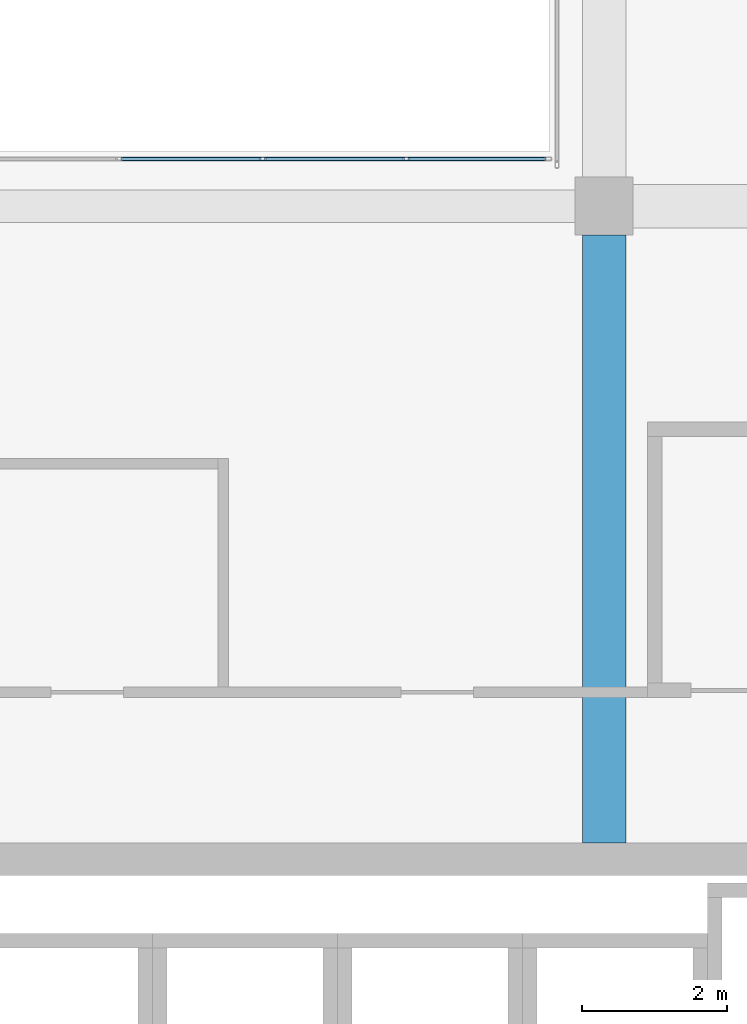
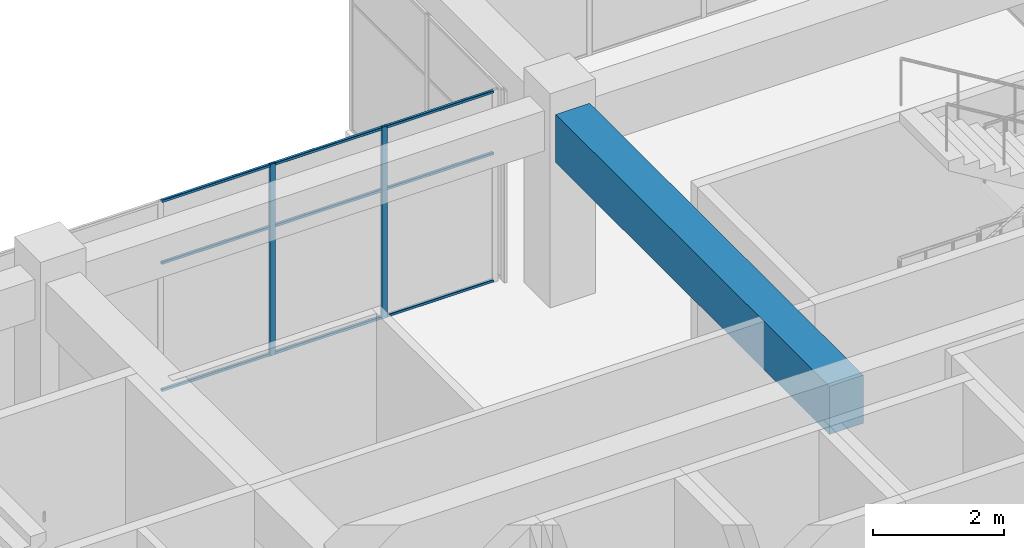
# One storey, part 34 of 52: 11 members, 1 beam, 1 element without a shape of its own.
"""IFC4 building model written with IfcOpenShell, lengths in metres."""

from ifc_helpers import new_model, si_unit, direction, frame, origin, origin_2d, place, context, subcontext, project, spatial, rectangle, hollow_rectangle, extrude, material, layer, layer_set, material_profile, profile_set, type_object, element, aggregate, save


model = new_model("IFC4")

# Units and contexts
model_context = context("Model", 3, precision=1e-05, world=origin(), true_north=direction((0.0, 1.0)))
body_context = subcontext(model_context, "Body", "Model", "MODEL_VIEW")
ifc_project = project(units=[si_unit("LENGTHUNIT", "METRE"), si_unit("AREAUNIT", "SQUARE_METRE"), si_unit("VOLUMEUNIT", "CUBIC_METRE"), si_unit("PLANEANGLEUNIT", "RADIAN"), si_unit("MASSUNIT", "GRAM", prefix="KILO")], contexts=[model_context])

# Site, building, storey
site_placement = place(None, origin())
site = spatial("IfcSite", under=ifc_project, at=site_placement, CompositionType="ELEMENT")
building_placement = place(site_placement, origin())
building = spatial("IfcBuilding", under=site, at=building_placement, Name="Tuart Plaza Theatre", CompositionType="ELEMENT")
storey_placement = place(building_placement, frame((0.0, 0.0, 25.5)))
storey = spatial("IfcBuildingStorey", under=building, at=storey_placement, Name="L06", CompositionType="ELEMENT", Elevation=25.5)

# Beam
ifc_material_1 = material(Name="Concrete N40 (40 MPa)", Category="concrete")
ifc_material_profile_1 = material_profile(ifc_material_1, rectangle(XDim=0.60009765625, YDim=0.89990234375, at=origin_2d()), Name="BEAM 600x900 Concrete N40 (40 MPa)")
ifc_profile_set_1 = profile_set([ifc_material_profile_1], Name="Concrete N40 (40 MPa)")
beam_type = type_object("IfcBeamType", Name="BEAM 600x900 Concrete N40 (40 MPa)", PredefinedType="BEAM", material=ifc_profile_set_1)
beam_placement = place(storey_placement, frame((132.0, 83.22509765625, 3.1298828125), z_axis=(0.0, 1.0, 0.0), x_axis=(-1.0, 0.0, 0.0)))
element("IfcBeam", 1, at=beam_placement, inside=storey, type_object=beam_type, Name="RB224", PredefinedType="BEAM", context=body_context, shape_type="SweptSolid", body=[
    extrude(rectangle(XDim=0.60009765625, YDim=0.89990234375, at=origin_2d()), origin(), (0.0, 0.0, 1.0), 8.375),
])

# Curtain wall, members
ifc_material_2 = material(Name="Aluminium and glass", Category="aluminium")
ifc_layer = layer(ifc_material_2, 0.10009765625)
ifc_layer_set = layer_set([ifc_layer], Name="CURTAIN WALL 2000 module")
curtain_wall_type = type_object("IfcCurtainWallType", Name="CURTAIN WALL 2000 module", PredefinedType="NOTDEFINED", material=ifc_layer_set)
curtain_wall_placement = place(storey_placement, origin())
curtain_wall = element("IfcCurtainWall", 2, at=curtain_wall_placement, inside=storey, type_object=curtain_wall_type, Name="CW84", PredefinedType="NOTDEFINED")
ifc_material_3 = material(Name="Aluminium 6063-T5", Category="aluminium")
ifc_material_profile_2 = material_profile(ifc_material_3, hollow_rectangle(XDim=0.050048828125, YDim=0.10009765625, WallThickness=0.00390625, InnerFilletRadius=0.00390625, OuterFilletRadius=0.008056640625, at=origin_2d()), Name="RHS 100x50x4")
ifc_profile_set_2 = profile_set([ifc_material_profile_2], Name="Aluminium 6063-T5")
member_type_1 = type_object("IfcMemberType", Name="MULLION RHS 100x50x4", PredefinedType="MULLION", material=ifc_profile_set_2)
member_1_placement = place(storey_placement, frame((129.272216796875, 92.64990234375, 0.0), z_axis=(0.0, 0.0, 1.0), x_axis=(0.0, -1.0, 0.0)))
member_1 = element("IfcMember", 3, at=member_1_placement, type_object=member_type_1, Name="CW84 mullion 2", PredefinedType="MULLION", context=body_context, shape_type="SweptSolid", body=[
    extrude(hollow_rectangle(XDim=0.050048828125, YDim=0.10009765625, WallThickness=0.00390625, InnerFilletRadius=0.00390625, OuterFilletRadius=0.008056640625, at=origin_2d()), origin(), (0.0, 0.0, 1.0), 3.580078125),
])
member_2_placement = place(storey_placement, frame((127.29443359375, 92.64990234375, 0.0), z_axis=(0.0, 0.0, 1.0), x_axis=(0.0, -1.0, 0.0)))
member_2 = element("IfcMember", 4, at=member_2_placement, type_object=member_type_1, Name="CW84 mullion 3", PredefinedType="MULLION", context=body_context, shape_type="SweptSolid", body=[
    extrude(hollow_rectangle(XDim=0.050048828125, YDim=0.10009765625, WallThickness=0.00390625, InnerFilletRadius=0.00390625, OuterFilletRadius=0.008056640625, at=origin_2d()), origin(), (0.0, 0.0, 1.0), 3.580078125),
])
ifc_material_4 = material(Name="Aluminium 6063-T5", Category="aluminium")
ifc_material_profile_3 = material_profile(ifc_material_4, hollow_rectangle(XDim=0.050048828125, YDim=0.050048828125, WallThickness=0.00390625, InnerFilletRadius=0.00390625, OuterFilletRadius=0.008056640625, at=origin_2d()), Name="RHS 50x50x4")
ifc_profile_set_3 = profile_set([ifc_material_profile_3], Name="Aluminium 6063-T5")
member_type_2 = type_object("IfcMemberType", Name="TRANSOM RHS 50x50x4", PredefinedType="USERDEFINED", material=ifc_profile_set_3)
member_3_placement = place(storey_placement, frame((131.199951171875, 92.64990234375, 0.02490234375), z_axis=(-1.0, 0.0, 0.0), x_axis=(0.0, -1.0, 0.0)))
member_3 = element("IfcMember", 5, at=member_3_placement, type_object=member_type_2, Name="CW84 transom 1.1", ObjectType="TRANSOM", PredefinedType="USERDEFINED", context=body_context, shape_type="SweptSolid", body=[
    extrude(hollow_rectangle(XDim=0.050048828125, YDim=0.050048828125, WallThickness=0.00390625, InnerFilletRadius=0.00390625, OuterFilletRadius=0.008056640625, at=origin_2d()), origin(), (0.0, 0.0, 1.0), 1.90283203125),
])
member_4_placement = place(storey_placement, frame((131.199951171875, 92.64990234375, 2.39990234375), z_axis=(-1.0, 0.0, 0.0), x_axis=(0.0, -1.0, 0.0)))
member_4 = element("IfcMember", 6, at=member_4_placement, type_object=member_type_2, Name="CW84 transom 1.2", ObjectType="TRANSOM", PredefinedType="USERDEFINED", context=body_context, shape_type="SweptSolid", body=[
    extrude(hollow_rectangle(XDim=0.050048828125, YDim=0.050048828125, WallThickness=0.00390625, InnerFilletRadius=0.00390625, OuterFilletRadius=0.008056640625, at=origin_2d()), origin(), (0.0, 0.0, 1.0), 1.90283203125),
])
member_5_placement = place(storey_placement, frame((131.199951171875, 92.64990234375, 3.554931640625), z_axis=(-1.0, 0.0, 0.0), x_axis=(0.0, -1.0, 0.0)))
member_5 = element("IfcMember", 7, at=member_5_placement, type_object=member_type_2, Name="CW84 transom 1.3", ObjectType="TRANSOM", PredefinedType="USERDEFINED", context=body_context, shape_type="SweptSolid", body=[
    extrude(hollow_rectangle(XDim=0.050048828125, YDim=0.050048828125, WallThickness=0.00390625, InnerFilletRadius=0.00390625, OuterFilletRadius=0.008056640625, at=origin_2d()), origin(), (0.0, 0.0, 1.0), 1.90283203125),
])
member_6_placement = place(storey_placement, frame((129.247314453125, 92.64990234375, 0.02490234375), z_axis=(-1.0, 0.0, 0.0), x_axis=(0.0, -1.0, 0.0)))
member_6 = element("IfcMember", 8, at=member_6_placement, type_object=member_type_2, Name="CW84 transom 2.1", ObjectType="TRANSOM", PredefinedType="USERDEFINED", context=body_context, shape_type="SweptSolid", body=[
    extrude(hollow_rectangle(XDim=0.050048828125, YDim=0.050048828125, WallThickness=0.00390625, InnerFilletRadius=0.00390625, OuterFilletRadius=0.008056640625, at=origin_2d()), origin(), (0.0, 0.0, 1.0), 1.927978515625),
])
member_7_placement = place(storey_placement, frame((129.247314453125, 92.64990234375, 2.39990234375), z_axis=(-1.0, 0.0, 0.0), x_axis=(0.0, -1.0, 0.0)))
member_7 = element("IfcMember", 9, at=member_7_placement, type_object=member_type_2, Name="CW84 transom 2.2", ObjectType="TRANSOM", PredefinedType="USERDEFINED", context=body_context, shape_type="SweptSolid", body=[
    extrude(hollow_rectangle(XDim=0.050048828125, YDim=0.050048828125, WallThickness=0.00390625, InnerFilletRadius=0.00390625, OuterFilletRadius=0.008056640625, at=origin_2d()), origin(), (0.0, 0.0, 1.0), 1.927978515625),
])
member_8_placement = place(storey_placement, frame((129.247314453125, 92.64990234375, 3.554931640625), z_axis=(-1.0, 0.0, 0.0), x_axis=(0.0, -1.0, 0.0)))
member_8 = element("IfcMember", 10, at=member_8_placement, type_object=member_type_2, Name="CW84 transom 2.3", ObjectType="TRANSOM", PredefinedType="USERDEFINED", context=body_context, shape_type="SweptSolid", body=[
    extrude(hollow_rectangle(XDim=0.050048828125, YDim=0.050048828125, WallThickness=0.00390625, InnerFilletRadius=0.00390625, OuterFilletRadius=0.008056640625, at=origin_2d()), origin(), (0.0, 0.0, 1.0), 1.927978515625),
])
member_9_placement = place(storey_placement, frame((127.26953125, 92.64990234375, 0.02490234375), z_axis=(-1.0, 0.0, 0.0), x_axis=(0.0, -1.0, 0.0)))
member_9 = element("IfcMember", 11, at=member_9_placement, type_object=member_type_2, Name="CW84 transom 3.1", ObjectType="TRANSOM", PredefinedType="USERDEFINED", context=body_context, shape_type="SweptSolid", body=[
    extrude(hollow_rectangle(XDim=0.050048828125, YDim=0.050048828125, WallThickness=0.00390625, InnerFilletRadius=0.00390625, OuterFilletRadius=0.008056640625, at=origin_2d()), origin(), (0.0, 0.0, 1.0), 1.927978515625),
])
member_10_placement = place(storey_placement, frame((127.26953125, 92.64990234375, 2.39990234375), z_axis=(-1.0, 0.0, 0.0), x_axis=(0.0, -1.0, 0.0)))
member_10 = element("IfcMember", 12, at=member_10_placement, type_object=member_type_2, Name="CW84 transom 3.2", ObjectType="TRANSOM", PredefinedType="USERDEFINED", context=body_context, shape_type="SweptSolid", body=[
    extrude(hollow_rectangle(XDim=0.050048828125, YDim=0.050048828125, WallThickness=0.00390625, InnerFilletRadius=0.00390625, OuterFilletRadius=0.008056640625, at=origin_2d()), origin(), (0.0, 0.0, 1.0), 1.927978515625),
])
member_11_placement = place(storey_placement, frame((127.26953125, 92.64990234375, 3.554931640625), z_axis=(-1.0, 0.0, 0.0), x_axis=(0.0, -1.0, 0.0)))
member_11 = element("IfcMember", 13, at=member_11_placement, type_object=member_type_2, Name="CW84 transom 3.3", ObjectType="TRANSOM", PredefinedType="USERDEFINED", context=body_context, shape_type="SweptSolid", body=[
    extrude(hollow_rectangle(XDim=0.050048828125, YDim=0.050048828125, WallThickness=0.00390625, InnerFilletRadius=0.00390625, OuterFilletRadius=0.008056640625, at=origin_2d()), origin(), (0.0, 0.0, 1.0), 1.927978515625),
])
aggregate(curtain_wall, [member_1, member_2, member_3, member_4, member_5, member_6, member_7, member_8, member_9, member_10, member_11])

save(model, "model.ifc")
